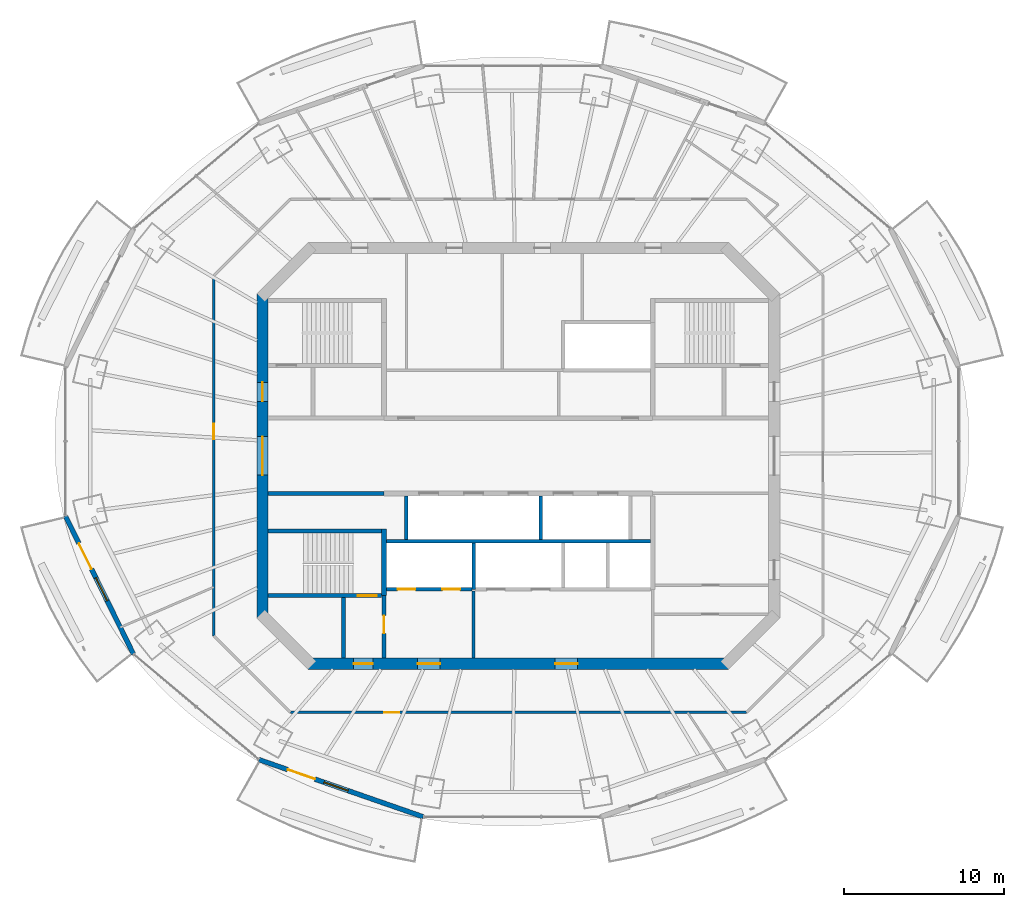
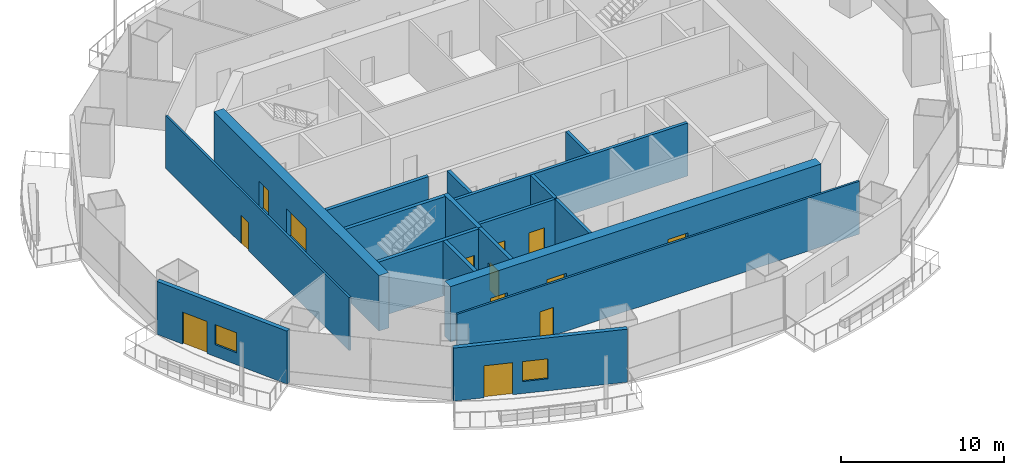
# One storey, part 8 of 16: 18 walls, 13 doors, 2 windows, 15 openings.
"""IFC4 building model written with IfcOpenShell, lengths in metres."""

from ifc_helpers import new_model, si_unit, direction, frame, frame_2d, origin, place, context, subcontext, project, spatial, rectangle, extrude, material, layer, layer_set, type_object, element, fill, save


model = new_model("IFC4")

# Units and contexts
model_context = context("Model", 3, precision=1e-05, world=origin(), true_north=direction((0.0, 1.0)))
body_context = subcontext(model_context, "Body", "Model", "MODEL_VIEW")
ifc_project = project(units=[si_unit("LENGTHUNIT", "METRE"), si_unit("AREAUNIT", "SQUARE_METRE"), si_unit("VOLUMEUNIT", "CUBIC_METRE"), si_unit("PLANEANGLEUNIT", "RADIAN"), si_unit("MASSUNIT", "GRAM", prefix="KILO")], contexts=[model_context])

# Site, building, storey
site_placement = place(None, origin())
site = spatial("IfcSite", under=ifc_project, at=site_placement, CompositionType="ELEMENT")
building_placement = place(site_placement, origin())
building = spatial("IfcBuilding", under=site, at=building_placement, Name="Marenthal Gate Tower", CompositionType="ELEMENT")
storey_placement = place(building_placement, frame((0.0, 0.0, 301.10009765625)))
storey = spatial("IfcBuildingStorey", under=building, at=storey_placement, Name="L67", CompositionType="ELEMENT", Elevation=301.10009765625)

# Wall, openings, doors
ifc_material_1 = material(Name="Concrete 60 MPa", Category="concrete")
ifc_layer_1 = layer(ifc_material_1, 0.699951171875)
ifc_layer_set_1 = layer_set([ifc_layer_1], Name="Core shear wall 700")
wall_type_1 = type_object("IfcWallType", Name="Core shear wall 700", PredefinedType="SHEAR", material=ifc_layer_set_1)
wall_1_placement = place(storey_placement, frame((-16.0, 10.14501953125, -0.18017578125), z_axis=(0.0, 0.0, 1.0), x_axis=(0.0, -1.0, 0.0)))
wall_1 = element("IfcWall", 1, at=wall_1_placement, inside=storey, type_object=wall_type_1, Name="Core wall 06", PredefinedType="SHEAR", context=body_context, shape_type="SweptSolid", body=[
    extrude(rectangle(XDim=20.2900390625, YDim=0.699951171875, at=frame_2d((10.14501953125, 0.0))), origin(), (0.0, 0.0, 1.0), 4.150146484375),
])
opening_1_placement = place(wall_1_placement, frame((8.945068359375, 0.0, 0.179931640625)))
opening_1 = element("IfcOpeningElement", 2, at=opening_1_placement, cuts=wall_1, Name="Opening D003.01", PredefinedType="OPENING", context=body_context, shape_type="SweptSolid", body=[
    extrude(rectangle(XDim=2.39990234375, YDim=2.10009765625, at=frame_2d((1.199951171875, 1.050048828125))), frame((0.0, 0.35986328125, 0.0), z_axis=(0.0, -1.0, 0.0), x_axis=(1.0, 0.0, 0.0)), (0.0, 0.0, 1.0), 0.719970703125),
])
opening_2_placement = place(wall_1_placement, frame((5.544921875, 0.0, 0.179931640625)))
opening_2 = element("IfcOpeningElement", 3, at=opening_2_placement, cuts=wall_1, Name="Opening D001.04", PredefinedType="OPENING", context=body_context, shape_type="SweptSolid", body=[
    extrude(rectangle(XDim=1.199951171875, YDim=2.10009765625, at=frame_2d((0.60009765625, 1.050048828125))), frame((0.0, 0.35986328125, 0.0), z_axis=(0.0, -1.0, 0.0), x_axis=(1.0, 0.0, 0.0)), (0.0, 0.0, 1.0), 0.719970703125),
])
ifc_material_2 = material(Name="Steel fire door", Category="steel")
door_type_1 = type_object("IfcDoorType", Name="Double fire door FD 45 2400 x 2100", OperationType="DOUBLE_DOOR_SINGLE_SWING", PredefinedType="DOOR", material=ifc_material_2)
door_1_placement = place(opening_1_placement, origin())
door_1 = element("IfcDoor", 4, at=door_1_placement, inside=storey, type_object=door_type_1, Name="Door D003.01", OperationType="DOUBLE_DOOR_SINGLE_SWING", OverallHeight=2.10009765625, OverallWidth=2.39990234375, PredefinedType="DOOR", context=body_context, shape_type="SweptSolid", body=[
    extrude(rectangle(XDim=2.39990234375, YDim=2.10009765625, at=frame_2d((1.199951171875, 1.050048828125))), frame((0.0, 0.02490234375, 0.0), z_axis=(0.0, -1.0, 0.0), x_axis=(1.0, 0.0, 0.0)), (0.0, 0.0, 1.0), 0.050048828125),
])
fill(opening_1, door_1)
ifc_material_3 = material(Name="Steel fire door", Category="steel")
door_type_2 = type_object("IfcDoorType", Name="Fire door FD 90 1200 x 2100", OperationType="NOTDEFINED", PredefinedType="DOOR", material=ifc_material_3)
door_2_placement = place(opening_2_placement, origin())
door_2 = element("IfcDoor", 5, at=door_2_placement, inside=storey, type_object=door_type_2, Name="Door D001.04", OperationType="SINGLE_SWING_RIGHT", OverallHeight=2.10009765625, OverallWidth=1.199951171875, PredefinedType="DOOR", context=body_context, shape_type="SweptSolid", body=[
    extrude(rectangle(XDim=1.199951171875, YDim=2.10009765625, at=frame_2d((0.60009765625, 1.050048828125))), frame((0.0, 0.02490234375, 0.0), z_axis=(0.0, -1.0, 0.0), x_axis=(1.0, 0.0, 0.0)), (0.0, 0.0, 1.0), 0.050048828125),
])
fill(opening_2, door_2)

wall_2_placement = place(storey_placement, frame((-13.14501953125, -13.0, -0.18017578125), z_axis=(0.0, 0.0, 1.0), x_axis=(1.0, 0.0, 0.0)))
wall_2 = element("IfcWall", 6, at=wall_2_placement, inside=storey, type_object=wall_type_1, Name="Core wall 08", PredefinedType="SHEAR", context=body_context, shape_type="SweptSolid", body=[
    extrude(rectangle(XDim=26.2900390625, YDim=0.699951171875, at=frame_2d((13.14501953125, 0.0))), origin(), (0.0, 0.0, 1.0), 4.150146484375),
])
opening_3_placement = place(wall_2_placement, frame((2.844970703125, 0.0, 0.179931640625)))
opening_3 = element("IfcOpeningElement", 7, at=opening_3_placement, cuts=wall_2, Name="Opening D001.06", PredefinedType="OPENING", context=body_context, shape_type="SweptSolid", body=[
    extrude(rectangle(XDim=1.199951171875, YDim=2.10009765625, at=frame_2d((0.60009765625, 1.050048828125))), frame((0.0, 0.35986328125, 0.0), z_axis=(0.0, -1.0, 0.0), x_axis=(1.0, 0.0, 0.0)), (0.0, 0.0, 1.0), 0.719970703125),
])
opening_4_placement = place(wall_2_placement, frame((6.844970703125, 0.0, 0.179931640625)))
opening_4 = element("IfcOpeningElement", 8, at=opening_4_placement, cuts=wall_2, Name="Opening D004.01", PredefinedType="OPENING", context=body_context, shape_type="SweptSolid", body=[
    extrude(rectangle(XDim=1.39990234375, YDim=2.10009765625, at=frame_2d((0.699951171875, 1.050048828125))), frame((0.0, 0.35986328125, 0.0), z_axis=(0.0, -1.0, 0.0), x_axis=(1.0, 0.0, 0.0)), (0.0, 0.0, 1.0), 0.719970703125),
])
opening_5_placement = place(wall_2_placement, frame((15.445068359375, 0.0, 0.179931640625)))
opening_5 = element("IfcOpeningElement", 9, at=opening_5_placement, cuts=wall_2, Name="Opening D004.02", PredefinedType="OPENING", context=body_context, shape_type="SweptSolid", body=[
    extrude(rectangle(XDim=1.39990234375, YDim=2.10009765625, at=frame_2d((0.699951171875, 1.050048828125))), frame((0.0, 0.35986328125, 0.0), z_axis=(0.0, -1.0, 0.0), x_axis=(1.0, 0.0, 0.0)), (0.0, 0.0, 1.0), 0.719970703125),
])
ifc_material_4 = material(Name="Steel fire door", Category="steel")
door_type_3 = type_object("IfcDoorType", Name="Fire door FD 45 1400 x 2100", OperationType="NOTDEFINED", PredefinedType="DOOR", material=ifc_material_4)
door_3_placement = place(opening_4_placement, origin())
door_3 = element("IfcDoor", 10, at=door_3_placement, inside=storey, type_object=door_type_3, Name="Door D004.01", OperationType="SINGLE_SWING_RIGHT", OverallHeight=2.10009765625, OverallWidth=1.39990234375, PredefinedType="DOOR", context=body_context, shape_type="SweptSolid", body=[
    extrude(rectangle(XDim=1.39990234375, YDim=2.10009765625, at=frame_2d((0.699951171875, 1.050048828125))), frame((0.0, 0.02490234375, 0.0), z_axis=(0.0, -1.0, 0.0), x_axis=(1.0, 0.0, 0.0)), (0.0, 0.0, 1.0), 0.050048828125),
])
fill(opening_4, door_3)
door_4_placement = place(opening_5_placement, origin())
door_4 = element("IfcDoor", 11, at=door_4_placement, inside=storey, type_object=door_type_3, Name="Door D004.02", OperationType="SINGLE_SWING_RIGHT", OverallHeight=2.10009765625, OverallWidth=1.39990234375, PredefinedType="DOOR", context=body_context, shape_type="SweptSolid", body=[
    extrude(rectangle(XDim=1.39990234375, YDim=2.10009765625, at=frame_2d((0.699951171875, 1.050048828125))), frame((0.0, 0.02490234375, 0.0), z_axis=(0.0, -1.0, 0.0), x_axis=(1.0, 0.0, 0.0)), (0.0, 0.0, 1.0), 0.050048828125),
])
fill(opening_5, door_4)
door_5_placement = place(opening_3_placement, origin())
door_5 = element("IfcDoor", 12, at=door_5_placement, inside=storey, type_object=door_type_2, Name="Door D001.06", OperationType="SINGLE_SWING_RIGHT", OverallHeight=2.10009765625, OverallWidth=1.199951171875, PredefinedType="DOOR", context=body_context, shape_type="SweptSolid", body=[
    extrude(rectangle(XDim=1.199951171875, YDim=2.10009765625, at=frame_2d((0.60009765625, 1.050048828125))), frame((0.0, 0.02490234375, 0.0), z_axis=(0.0, -1.0, 0.0), x_axis=(1.0, 0.0, 0.0)), (0.0, 0.0, 1.0), 0.050048828125),
])
fill(opening_3, door_5)

# Walls
ifc_material_5 = material(Name="Gypsum board on steel studs", Category="steel")
ifc_layer_2 = layer(ifc_material_5, 0.199951171875)
ifc_layer_set_2 = layer_set([ifc_layer_2], Name="Fire lobby wall 200")
wall_type_2 = type_object("IfcWallType", Name="Fire lobby wall 200", PredefinedType="PARTITIONING", material=ifc_layer_set_2)
wall_3_placement = place(storey_placement, frame((-2.800048828125, -12.64990234375, 0.0), z_axis=(0.0, 0.0, 1.0), x_axis=(0.0, 1.0, 0.0)))
element("IfcWall", 13, at=wall_3_placement, inside=storey, type_object=wall_type_2, Name="Fire wall 37", PredefinedType="PARTITIONING", context=body_context, shape_type="SweptSolid", body=[
    extrude(rectangle(XDim=4.18994140625, YDim=0.199951171875, at=frame_2d((2.094970703125, 0.0))), origin(), (0.0, 0.0, 1.0), 3.969970703125),
])
ifc_material_6 = material(Name="Concrete 50 MPa", Category="concrete")
ifc_layer_3 = layer(ifc_material_6, 0.300048828125)
ifc_layer_set_3 = layer_set([ifc_layer_3], Name="Hoistway shear wall 300")
wall_type_3 = type_object("IfcWallType", Name="Hoistway shear wall 300", PredefinedType="SHEAR", material=ifc_layer_set_3)
wall_4_placement = place(storey_placement, frame((-8.39990234375, -8.75, -0.18017578125), z_axis=(0.0, 0.0, 1.0), x_axis=(0.0, 1.0, 0.0)))
element("IfcWall", 14, at=wall_4_placement, inside=storey, type_object=wall_type_3, Name="Hoistway wall 32", PredefinedType="SHEAR", context=body_context, shape_type="SweptSolid", body=[
    extrude(rectangle(XDim=4.175048828125, YDim=0.300048828125, at=frame_2d((2.08740234375, 0.0))), origin(), (0.0, 0.0, 1.0), 4.150146484375),
])

# Wall, openings, doors
ifc_material_7 = material(Name="Concrete 40 MPa", Category="concrete")
ifc_layer_4 = layer(ifc_material_7, 0.219970703125)
ifc_layer_set_4 = layer_set([ifc_layer_4], Name="Hoistway wall 220")
wall_type_4 = type_object("IfcWallType", Name="Hoistway wall 220", PredefinedType="STANDARD", material=ifc_layer_set_4)
wall_5_placement = place(storey_placement, frame((-8.25, -8.35009765625, 0.0), z_axis=(0.0, 0.0, 1.0), x_axis=(1.0, 0.0, 0.0)))
wall_5 = element("IfcWall", 15, at=wall_5_placement, inside=storey, type_object=wall_type_4, Name="Hoistway wall 11", PredefinedType="STANDARD", context=body_context, shape_type="SweptSolid", body=[
    extrude(rectangle(XDim=5.340087890625, YDim=0.219970703125, at=frame_2d((2.669921875, 0.0))), origin(), (0.0, 0.0, 1.0), 3.969970703125),
])
opening_6_placement = place(wall_5_placement, frame((0.699951171875, 0.0, 0.0)))
opening_6 = element("IfcOpeningElement", 16, at=opening_6_placement, cuts=wall_5, Name="Opening LD-LF1", PredefinedType="OPENING", context=body_context, shape_type="SweptSolid", body=[
    extrude(rectangle(XDim=1.10009765625, YDim=2.10009765625, at=frame_2d((0.550048828125, 1.050048828125))), frame((0.0, 0.1201171875, 0.0), z_axis=(0.0, -1.0, 0.0), x_axis=(1.0, 0.0, 0.0)), (0.0, 0.0, 1.0), 0.239990234375),
])
opening_7_placement = place(wall_5_placement, frame((3.5, 0.0, 0.0)))
opening_7 = element("IfcOpeningElement", 17, at=opening_7_placement, cuts=wall_5, Name="Opening LD-LF2", PredefinedType="OPENING", context=body_context, shape_type="SweptSolid", body=[
    extrude(rectangle(XDim=1.10009765625, YDim=2.10009765625, at=frame_2d((0.550048828125, 1.050048828125))), frame((0.0, 0.1201171875, 0.0), z_axis=(0.0, -1.0, 0.0), x_axis=(1.0, 0.0, 0.0)), (0.0, 0.0, 1.0), 0.239990234375),
])
ifc_material_8 = material(Name="Stainless steel sliding door", Category="steel")
door_type_4 = type_object("IfcDoorType", Name="Lift landing door FD 90 1100 x 2100", OperationType="DOUBLE_DOOR_SLIDING", PredefinedType="DOOR", material=ifc_material_8)
door_6_placement = place(opening_6_placement, origin())
door_6 = element("IfcDoor", 18, at=door_6_placement, inside=storey, type_object=door_type_4, Name="Lift landing door LF1", OperationType="DOUBLE_DOOR_SLIDING", OverallHeight=2.10009765625, OverallWidth=1.10009765625, PredefinedType="DOOR", context=body_context, shape_type="SweptSolid", body=[
    extrude(rectangle(XDim=1.10009765625, YDim=2.10009765625, at=frame_2d((0.550048828125, 1.050048828125))), frame((0.0, 0.02490234375, 0.0), z_axis=(0.0, -1.0, 0.0), x_axis=(1.0, 0.0, 0.0)), (0.0, 0.0, 1.0), 0.050048828125),
])
fill(opening_6, door_6)
door_7_placement = place(opening_7_placement, origin())
door_7 = element("IfcDoor", 19, at=door_7_placement, inside=storey, type_object=door_type_4, Name="Lift landing door LF2", OperationType="DOUBLE_DOOR_SLIDING", OverallHeight=2.10009765625, OverallWidth=1.10009765625, PredefinedType="DOOR", context=body_context, shape_type="SweptSolid", body=[
    extrude(rectangle(XDim=1.10009765625, YDim=2.10009765625, at=frame_2d((0.550048828125, 1.050048828125))), frame((0.0, 0.02490234375, 0.0), z_axis=(0.0, -1.0, 0.0), x_axis=(1.0, 0.0, 0.0)), (0.0, 0.0, 1.0), 0.050048828125),
])
fill(opening_7, door_7)

# Walls
wall_6_placement = place(storey_placement, frame((-8.25, -5.35009765625, 0.0), z_axis=(0.0, 0.0, 1.0), x_axis=(1.0, 0.0, 0.0)))
element("IfcWall", 20, at=wall_6_placement, inside=storey, type_object=wall_type_4, Name="Hoistway wall 14", PredefinedType="STANDARD", context=body_context, shape_type="SweptSolid", body=[
    extrude(rectangle(XDim=16.5, YDim=0.219970703125, at=frame_2d((8.25, 0.0))), origin(), (0.0, 0.0, 1.0), 3.969970703125),
])
wall_7_placement = place(storey_placement, frame((-7.0, -5.239990234375, 0.0), z_axis=(0.0, 0.0, 1.0), x_axis=(0.0, 1.0, 0.0)))
element("IfcWall", 21, at=wall_7_placement, inside=storey, type_object=wall_type_4, Name="Hoistway wall 35", PredefinedType="STANDARD", context=body_context, shape_type="SweptSolid", body=[
    extrude(rectangle(XDim=2.739990234375, YDim=0.219970703125, at=frame_2d((1.3701171875, 0.0))), origin(), (0.0, 0.0, 1.0), 3.969970703125),
])
wall_8_placement = place(storey_placement, frame((-2.800048828125, -8.35009765625, 0.0), z_axis=(0.0, 0.0, 1.0), x_axis=(0.0, 1.0, 0.0)))
element("IfcWall", 22, at=wall_8_placement, inside=storey, type_object=wall_type_4, Name="Hoistway wall 38", PredefinedType="STANDARD", context=body_context, shape_type="SweptSolid", body=[
    extrude(rectangle(XDim=2.89013671875, YDim=0.219970703125, at=frame_2d((1.445068359375, 0.0))), origin(), (0.0, 0.0, 1.0), 3.969970703125),
])
wall_9_placement = place(storey_placement, frame((1.39990234375, -5.239990234375, 0.0), z_axis=(0.0, 0.0, 1.0), x_axis=(0.0, 1.0, 0.0)))
element("IfcWall", 23, at=wall_9_placement, inside=storey, type_object=wall_type_4, Name="Hoistway wall 40", PredefinedType="STANDARD", context=body_context, shape_type="SweptSolid", body=[
    extrude(rectangle(XDim=2.739990234375, YDim=0.219970703125, at=frame_2d((1.3701171875, 0.0))), origin(), (0.0, 0.0, 1.0), 3.969970703125),
])

# Wall, opening, door
ifc_material_9 = material(Name="Gypsum board on steel studs", Category="steel")
ifc_layer_5 = layer(ifc_material_9, 0.14990234375)
ifc_layer_set_5 = layer_set([ifc_layer_5], Name="Partition 150")
wall_type_5 = type_object("IfcWallType", Name="Partition 150", PredefinedType="PARTITIONING", material=ifc_layer_set_5)
wall_10_placement = place(storey_placement, frame((-19.050048828125, -11.263427734375, 0.0), z_axis=(0.0, 0.0, 1.0), x_axis=(0.0, 1.0, 0.0)))
wall_10 = element("IfcWall", 24, at=wall_10_placement, inside=storey, type_object=wall_type_5, Name="Partition wall 52", PredefinedType="PARTITIONING", context=body_context, shape_type="SweptSolid", body=[
    extrude(rectangle(XDim=22.52685546875, YDim=0.14990234375, at=frame_2d((11.263427734375, 0.0))), origin(), (0.0, 0.0, 1.0), 3.969970703125),
])
opening_8_placement = place(wall_10_placement, frame((12.31494140625, 0.0, 0.0)))
opening_8 = element("IfcOpeningElement", 25, at=opening_8_placement, cuts=wall_10, Name="Opening D016.08", PredefinedType="OPENING", context=body_context, shape_type="SweptSolid", body=[
    extrude(rectangle(XDim=0.949951171875, YDim=2.10009765625, at=frame_2d((0.47509765625, 1.050048828125))), frame((0.0, 0.0849609375, 0.0), z_axis=(0.0, -1.0, 0.0), x_axis=(1.0, 0.0, 0.0)), (0.0, 0.0, 1.0), 0.169921875),
])
ifc_material_10 = material(Name="Timber door", Category="wood")
door_type_5 = type_object("IfcDoorType", Name="Door 950 x 2100", OperationType="NOTDEFINED", PredefinedType="DOOR", material=ifc_material_10)
door_8_placement = place(opening_8_placement, frame((0.949951171875, 0.0, 0.0), z_axis=(0.0, 0.0, 1.0), x_axis=(-1.0, 0.0, 0.0)))
door_8 = element("IfcDoor", 26, at=door_8_placement, inside=storey, type_object=door_type_5, Name="Door D016.08", OperationType="SINGLE_SWING_LEFT", OverallHeight=2.10009765625, OverallWidth=0.949951171875, PredefinedType="DOOR", context=body_context, shape_type="SweptSolid", body=[
    extrude(rectangle(XDim=0.949951171875, YDim=2.10009765625, at=frame_2d((0.47509765625, 1.050048828125))), frame((0.0, 0.02490234375, 0.0), z_axis=(0.0, -1.0, 0.0), x_axis=(1.0, 0.0, 0.0)), (0.0, 0.0, 1.0), 0.050048828125),
])
fill(opening_8, door_8)

wall_11_placement = place(storey_placement, frame((14.263427734375, -16.050048828125, 0.0), z_axis=(0.0, 0.0, 1.0), x_axis=(-1.0, 0.0, 0.0)))
wall_11 = element("IfcWall", 27, at=wall_11_placement, inside=storey, type_object=wall_type_5, Name="Partition wall 65", PredefinedType="PARTITIONING", context=body_context, shape_type="SweptSolid", body=[
    extrude(rectangle(XDim=28.52685546875, YDim=0.14990234375, at=frame_2d((14.263427734375, 0.0))), origin(), (0.0, 0.0, 1.0), 3.969970703125),
])
opening_9_placement = place(wall_11_placement, frame((21.717041015625, 0.0, 0.0)))
opening_9 = element("IfcOpeningElement", 28, at=opening_9_placement, cuts=wall_11, Name="Opening D016.09", PredefinedType="OPENING", context=body_context, shape_type="SweptSolid", body=[
    extrude(rectangle(XDim=0.949951171875, YDim=2.10009765625, at=frame_2d((0.47509765625, 1.050048828125))), frame((0.0, 0.0849609375, 0.0), z_axis=(0.0, -1.0, 0.0), x_axis=(1.0, 0.0, 0.0)), (0.0, 0.0, 1.0), 0.169921875),
])
door_9_placement = place(opening_9_placement, frame((0.949951171875, 0.0, 0.0), z_axis=(0.0, 0.0, 1.0), x_axis=(-1.0, 0.0, 0.0)))
door_9 = element("IfcDoor", 29, at=door_9_placement, inside=storey, type_object=door_type_5, Name="Door D016.09", OperationType="SINGLE_SWING_LEFT", OverallHeight=2.10009765625, OverallWidth=0.949951171875, PredefinedType="DOOR", context=body_context, shape_type="SweptSolid", body=[
    extrude(rectangle(XDim=0.949951171875, YDim=2.10009765625, at=frame_2d((0.47509765625, 1.050048828125))), frame((0.0, 0.02490234375, 0.0), z_axis=(0.0, -1.0, 0.0), x_axis=(1.0, 0.0, 0.0)), (0.0, 0.0, 1.0), 0.050048828125),
])
fill(opening_9, door_9)

# Walls
ifc_material_11 = material(Name="Concrete 40 MPa", Category="concrete")
ifc_layer_6 = layer(ifc_material_11, 0.25)
ifc_layer_set_6 = layer_set([ifc_layer_6], Name="Stair enclosure wall 250")
wall_type_6 = type_object("IfcWallType", Name="Stair enclosure wall 250", PredefinedType="STANDARD", material=ifc_layer_set_6)
wall_12_placement = place(storey_placement, frame((-15.64990234375, -2.35009765625, 0.0), z_axis=(0.0, 0.0, 1.0), x_axis=(1.0, 0.0, 0.0)))
element("IfcWall", 30, at=wall_12_placement, inside=storey, type_object=wall_type_6, Name="Stair wall 16", PredefinedType="STANDARD", context=body_context, shape_type="SweptSolid", body=[
    extrude(rectangle(XDim=7.25, YDim=0.25, at=frame_2d((3.625, 0.0))), origin(), (0.0, 0.0, 1.0), 3.969970703125),
])
wall_13_placement = place(storey_placement, frame((-10.949951171875, -12.64990234375, 0.0), z_axis=(0.0, 0.0, 1.0), x_axis=(0.0, 1.0, 0.0)))
element("IfcWall", 31, at=wall_13_placement, inside=storey, type_object=wall_type_6, Name="Stair wall 30", PredefinedType="STANDARD", context=body_context, shape_type="SweptSolid", body=[
    extrude(rectangle(XDim=3.77490234375, YDim=0.25, at=frame_2d((1.887451171875, 0.0))), origin(), (0.0, 0.0, 1.0), 3.969970703125),
])

# Wall, opening, door
wall_14_placement = place(storey_placement, frame((-8.39990234375, -12.64990234375, 0.0), z_axis=(0.0, 0.0, 1.0), x_axis=(0.0, 1.0, 0.0)))
wall_14 = element("IfcWall", 32, at=wall_14_placement, inside=storey, type_object=wall_type_6, Name="Stair wall 31", PredefinedType="STANDARD", context=body_context, shape_type="SweptSolid", body=[
    extrude(rectangle(XDim=3.89990234375, YDim=0.25, at=frame_2d((1.949951171875, 0.0))), origin(), (0.0, 0.0, 1.0), 3.969970703125),
])
opening_10_placement = place(wall_14_placement, frame((1.550048828125, 0.0, 0.0)))
opening_10 = element("IfcOpeningElement", 33, at=opening_10_placement, cuts=wall_14, Name="Opening D002.01", PredefinedType="OPENING", context=body_context, shape_type="SweptSolid", body=[
    extrude(rectangle(XDim=1.10009765625, YDim=2.10009765625, at=frame_2d((0.550048828125, 1.050048828125))), frame((0.0, 0.135009765625, 0.0), z_axis=(0.0, -1.0, 0.0), x_axis=(1.0, 0.0, 0.0)), (0.0, 0.0, 1.0), 0.27001953125),
])
ifc_material_12 = material(Name="Steel fire door", Category="steel")
door_type_6 = type_object("IfcDoorType", Name="Fire door FD 90 1100 x 2100", OperationType="NOTDEFINED", PredefinedType="DOOR", material=ifc_material_12)
door_10_placement = place(opening_10_placement, origin())
door_10 = element("IfcDoor", 34, at=door_10_placement, inside=storey, type_object=door_type_6, Name="Door D002.01", OperationType="SINGLE_SWING_RIGHT", OverallHeight=2.10009765625, OverallWidth=1.10009765625, PredefinedType="DOOR", context=body_context, shape_type="SweptSolid", body=[
    extrude(rectangle(XDim=1.10009765625, YDim=2.10009765625, at=frame_2d((0.550048828125, 1.050048828125))), frame((0.0, 0.02490234375, 0.0), z_axis=(0.0, -1.0, 0.0), x_axis=(1.0, 0.0, 0.0)), (0.0, 0.0, 1.0), 0.050048828125),
])
fill(opening_10, door_10)

ifc_material_13 = material(Name="Concrete 50 MPa", Category="concrete")
ifc_layer_7 = layer(ifc_material_13, 0.25)
ifc_layer_set_7 = layer_set([ifc_layer_7], Name="Stair shear wall 250")
wall_type_7 = type_object("IfcWallType", Name="Stair shear wall 250", PredefinedType="SHEAR", material=ifc_layer_set_7)
wall_15_placement = place(storey_placement, frame((-15.64990234375, -8.75, -0.18017578125), z_axis=(0.0, 0.0, 1.0), x_axis=(1.0, 0.0, 0.0)))
wall_15 = element("IfcWall", 35, at=wall_15_placement, inside=storey, type_object=wall_type_7, Name="Stair wall 10", PredefinedType="SHEAR", context=body_context, shape_type="SweptSolid", body=[
    extrude(rectangle(XDim=7.099853515625, YDim=0.25, at=frame_2d((3.5498046875, 0.0))), origin(), (0.0, 0.0, 1.0), 4.150146484375),
])
opening_11_placement = place(wall_15_placement, frame((5.60009765625, 0.0, 0.179931640625)))
opening_11 = element("IfcOpeningElement", 36, at=opening_11_placement, cuts=wall_15, Name="Opening D001.03", PredefinedType="OPENING", context=body_context, shape_type="SweptSolid", body=[
    extrude(rectangle(XDim=1.199951171875, YDim=2.10009765625, at=frame_2d((0.60009765625, 1.050048828125))), frame((0.0, 0.135009765625, 0.0), z_axis=(0.0, -1.0, 0.0), x_axis=(1.0, 0.0, 0.0)), (0.0, 0.0, 1.0), 0.27001953125),
])
door_11_placement = place(opening_11_placement, origin())
door_11 = element("IfcDoor", 37, at=door_11_placement, inside=storey, type_object=door_type_2, Name="Door D001.03", OperationType="SINGLE_SWING_RIGHT", OverallHeight=2.10009765625, OverallWidth=1.199951171875, PredefinedType="DOOR", context=body_context, shape_type="SweptSolid", body=[
    extrude(rectangle(XDim=1.199951171875, YDim=2.10009765625, at=frame_2d((0.60009765625, 1.050048828125))), frame((0.0, 0.02490234375, 0.0), z_axis=(0.0, -1.0, 0.0), x_axis=(1.0, 0.0, 0.0)), (0.0, 0.0, 1.0), 0.050048828125),
])
fill(opening_11, door_11)

# Wall
wall_16_placement = place(storey_placement, frame((-15.64990234375, -4.699951171875, -0.18017578125), z_axis=(0.0, 0.0, 1.0), x_axis=(1.0, 0.0, 0.0)))
element("IfcWall", 38, at=wall_16_placement, inside=storey, type_object=wall_type_7, Name="Stair wall 15", PredefinedType="SHEAR", context=body_context, shape_type="SweptSolid", body=[
    extrude(rectangle(XDim=7.099853515625, YDim=0.25, at=frame_2d((3.5498046875, 0.0))), origin(), (0.0, 0.0, 1.0), 4.150146484375),
])

# Wall, openings, door, window
ifc_material_14 = material(Name="Terracotta cladding on insulated concrete-block backing", Category="masonry")
ifc_layer_8 = layer(ifc_material_14, 0.300048828125)
ifc_layer_set_8 = layer_set([ifc_layer_8], Name="Terracotta facade wall 300")
wall_type_8 = type_object("IfcWallType", Name="Terracotta facade wall 300", PredefinedType="SOLIDWALL", material=ifc_layer_set_8)
wall_17_placement = place(storey_placement, frame((-28.328857421875, -3.77001953125, 0.0), z_axis=(0.0, 0.0, 1.0), x_axis=(0.441998272381, -0.897015901315, 0.0)))
wall_17 = element("IfcWall", 39, at=wall_17_placement, inside=storey, type_object=wall_type_8, Name="Terracotta facade wall L67 bay 9", PredefinedType="SOLIDWALL", context=body_context, shape_type="SweptSolid", body=[
    extrude(rectangle(XDim=9.619873046875, YDim=0.300048828125, at=frame_2d((4.81005859375, 0.0))), origin(), (0.0, 0.0, 1.0), 3.969970703125),
])
opening_12_placement = place(wall_17_placement, frame((1.89990234375, 0.0, 0.0)))
opening_12 = element("IfcOpeningElement", 40, at=opening_12_placement, cuts=wall_17, Name="Opening BD-L67-09", PredefinedType="OPENING", context=body_context, shape_type="SweptSolid", body=[
    extrude(rectangle(XDim=1.800048828125, YDim=2.39990234375, at=frame_2d((0.89990234375, 1.199951171875))), frame((0.0, 0.16015625, 0.0), z_axis=(0.0, -1.0, 0.0), x_axis=(1.0, 0.0, 0.0)), (0.0, 0.0, 1.0), 0.320068359375),
])
opening_13_placement = place(wall_17_placement, frame((4.300048828125, 0.0, 0.89990234375)))
opening_13 = element("IfcOpeningElement", 41, at=opening_13_placement, cuts=wall_17, Name="Opening WN3-L67-09", PredefinedType="OPENING", context=body_context, shape_type="SweptSolid", body=[
    extrude(rectangle(XDim=1.60009765625, YDim=1.5, at=frame_2d((0.800048828125, 0.75))), frame((0.0, 0.16015625, 0.0), z_axis=(0.0, -1.0, 0.0), x_axis=(1.0, 0.0, 0.0)), (0.0, 0.0, 1.0), 0.320068359375),
])
ifc_material_15 = material(Name="Aluminium and glass", Category="aluminium")
door_type_7 = type_object("IfcDoorType", Name="Balcony door 1800x2400", OperationType="DOUBLE_DOOR_SINGLE_SWING", PredefinedType="DOOR", material=ifc_material_15)
door_12_placement = place(opening_12_placement, origin())
door_12 = element("IfcDoor", 42, at=door_12_placement, inside=storey, type_object=door_type_7, Name="Balcony door L67 bay 9", OperationType="SINGLE_SWING_LEFT", OverallHeight=2.39990234375, OverallWidth=1.800048828125, PredefinedType="DOOR", context=body_context, shape_type="SweptSolid", body=[
    extrude(rectangle(XDim=1.800048828125, YDim=2.39990234375, at=frame_2d((0.89990234375, 1.199951171875))), frame((0.0, 0.02490234375, 0.0), z_axis=(0.0, -1.0, 0.0), x_axis=(1.0, 0.0, 0.0)), (0.0, 0.0, 1.0), 0.050048828125),
])
fill(opening_12, door_12)
ifc_material_16 = material(Name="Aluminium and glass", Category="aluminium")
window_type = type_object("IfcWindowType", Name="Window 1600x1500", PartitioningType="DOUBLE_PANEL_VERTICAL", PredefinedType="WINDOW", material=ifc_material_16)
window_1_placement = place(opening_13_placement, origin())
window_1 = element("IfcWindow", 43, at=window_1_placement, inside=storey, type_object=window_type, Name="Window L67 bay 9", OverallHeight=1.5, OverallWidth=1.60009765625, PartitioningType="SINGLE_PANEL", PredefinedType="WINDOW", context=body_context, shape_type="SweptSolid", body=[
    extrude(rectangle(XDim=1.60009765625, YDim=1.5, at=frame_2d((0.800048828125, 0.75))), frame((0.0, 0.030029296875, 0.0), z_axis=(0.0, -1.0, 0.0), x_axis=(1.0, 0.0, 0.0)), (0.0, 0.0, 1.0), 0.06005859375),
])
fill(opening_13, window_1)

wall_18_placement = place(storey_placement, frame((-16.220458984375, -19.003662109375, 0.0), z_axis=(0.0, 0.0, 1.0), x_axis=(0.944390086162, -0.328827257323, 0.0)))
wall_18 = element("IfcWall", 44, at=wall_18_placement, inside=storey, type_object=wall_type_8, Name="Terracotta facade wall L67 bay 11", PredefinedType="SOLIDWALL", context=body_context, shape_type="SweptSolid", body=[
    extrude(rectangle(XDim=10.86962890625, YDim=0.300048828125, at=frame_2d((5.434814453125, 0.0))), origin(), (0.0, 0.0, 1.0), 3.969970703125),
])
opening_14_placement = place(wall_18_placement, frame((1.89990234375, 0.0, 0.0)))
opening_14 = element("IfcOpeningElement", 45, at=opening_14_placement, cuts=wall_18, Name="Opening BD-L67-11", PredefinedType="OPENING", context=body_context, shape_type="SweptSolid", body=[
    extrude(rectangle(XDim=1.800048828125, YDim=2.39990234375, at=frame_2d((0.89990234375, 1.199951171875))), frame((0.0, 0.16015625, 0.0), z_axis=(0.0, -1.0, 0.0), x_axis=(1.0, 0.0, 0.0)), (0.0, 0.0, 1.0), 0.320068359375),
])
opening_15_placement = place(wall_18_placement, frame((4.300048828125, 0.0, 0.89990234375)))
opening_15 = element("IfcOpeningElement", 46, at=opening_15_placement, cuts=wall_18, Name="Opening WN3-L67-11", PredefinedType="OPENING", context=body_context, shape_type="SweptSolid", body=[
    extrude(rectangle(XDim=1.60009765625, YDim=1.5, at=frame_2d((0.800048828125, 0.75))), frame((0.0, 0.16015625, 0.0), z_axis=(0.0, -1.0, 0.0), x_axis=(1.0, 0.0, 0.0)), (0.0, 0.0, 1.0), 0.320068359375),
])
door_13_placement = place(opening_14_placement, origin())
door_13 = element("IfcDoor", 47, at=door_13_placement, inside=storey, type_object=door_type_7, Name="Balcony door L67 bay 11", OperationType="SINGLE_SWING_LEFT", OverallHeight=2.39990234375, OverallWidth=1.800048828125, PredefinedType="DOOR", context=body_context, shape_type="SweptSolid", body=[
    extrude(rectangle(XDim=1.800048828125, YDim=2.39990234375, at=frame_2d((0.89990234375, 1.199951171875))), frame((0.0, 0.02490234375, 0.0), z_axis=(0.0, -1.0, 0.0), x_axis=(1.0, 0.0, 0.0)), (0.0, 0.0, 1.0), 0.050048828125),
])
fill(opening_14, door_13)
window_2_placement = place(opening_15_placement, origin())
window_2 = element("IfcWindow", 48, at=window_2_placement, inside=storey, type_object=window_type, Name="Window L67 bay 11", OverallHeight=1.5, OverallWidth=1.60009765625, PartitioningType="SINGLE_PANEL", PredefinedType="WINDOW", context=body_context, shape_type="SweptSolid", body=[
    extrude(rectangle(XDim=1.60009765625, YDim=1.5, at=frame_2d((0.800048828125, 0.75))), frame((0.0, 0.030029296875, 0.0), z_axis=(0.0, -1.0, 0.0), x_axis=(1.0, 0.0, 0.0)), (0.0, 0.0, 1.0), 0.06005859375),
])
fill(opening_15, window_2)

save(model, "model.ifc")
